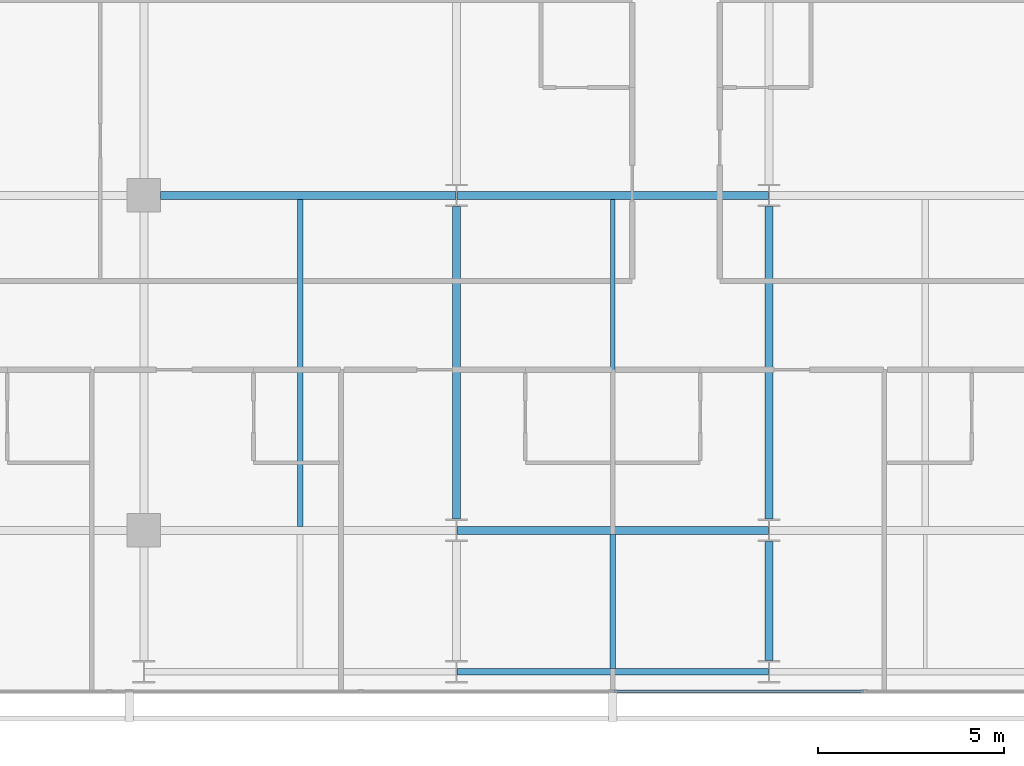
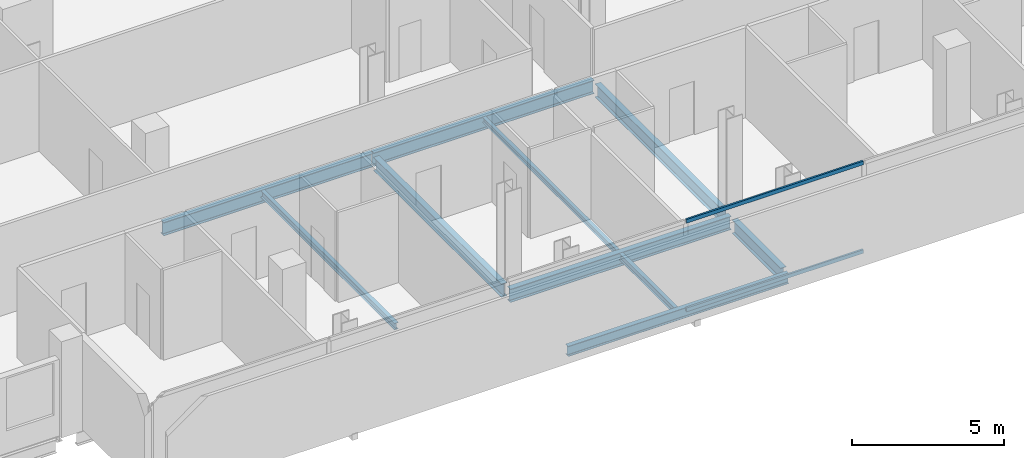
# One storey, part 7 of 33: 10 beams, 2 members, 1 element without a shape of its own.
"""IFC4 building model written with IfcOpenShell, lengths in metres."""

import ifcopenshell
import ifcopenshell.guid

model = None  # the IFC model being written
_history = None  # IfcOwnerHistory: only IFC2X3 demands one
_inside = {}  # id of a spatial element -> (the spatial element, [elements in it])
_under = {}  # id of a project, library or spatial element -> (it, [spatial elements below it])
_declared = {}  # id of a project -> (the project, [libraries it declares])
_typed = {}  # id of a type object -> (the type object, [elements of that type])
_made_of = {}  # id of a material, layer set ... -> (it, [elements and type objects made of it])


def new_model(schema):
    """Start an empty IFC model of exactly this schema.

    Asked for "IFC4X3", IfcOpenShell would pick the latest addendum, in which some entities
    have other attributes; the version numbers below select the first issue.
    IFC2X3 requires an IfcOwnerHistory on every rooted entity: one is made here for all.
    """
    global model, _history
    if schema == "IFC4X3":
        model = ifcopenshell.file(schema_version=(4, 3, 0, 0))
    else:
        model = ifcopenshell.file(schema=schema)
    _inside.clear()
    _under.clear()
    _declared.clear()
    _typed.clear()
    _made_of.clear()
    _history = None
    if model.schema == "IFC2X3":
        org = make("IfcOrganization", Name="unknown")
        user = make(
            "IfcPersonAndOrganization",
            ThePerson=make("IfcPerson", FamilyName="unknown"),
            TheOrganization=org,
        )
        app = make(
            "IfcApplication",
            ApplicationDeveloper=org,
            Version="unknown",
            ApplicationFullName="unknown",
            ApplicationIdentifier="unknown",
        )
        _history = make(
            "IfcOwnerHistory",
            OwningUser=user,
            OwningApplication=app,
            ChangeAction="ADDED",
            CreationDate=0,
        )
    return model


def make(cls, **values):
    """One entity of the class cls with the attributes given. An attribute that is None is left unset."""
    return model.create_entity(
        cls, **{name: value for name, value in values.items() if value is not None}
    )


def rooted(cls, **values):
    """An entity with a GlobalId (a new one), such as an element, a storey or a relation."""
    return make(cls, GlobalId=ifcopenshell.guid.new(), OwnerHistory=_history, **values)


def si_unit(unit_type, name, prefix=None):
    """IfcSIUnit, for example si_unit("LENGTHUNIT", "METRE", prefix="MILLI")."""
    return make("IfcSIUnit", UnitType=unit_type, Prefix=prefix, Name=name)


def assignment(units):
    """IfcUnitAssignment: the units of a project."""
    return None if units is None else make("IfcUnitAssignment", Units=units)


def point(xyz):
    """IfcCartesianPoint."""
    return None if xyz is None else make("IfcCartesianPoint", Coordinates=xyz)


def direction(xyz):
    """IfcDirection."""
    return None if xyz is None else make("IfcDirection", DirectionRatios=xyz)


def frame(location, z_axis=None, x_axis=None):
    """IfcAxis2Placement3D, a coordinate frame: its origin and axes. An axis left out is left unset."""
    return make(
        "IfcAxis2Placement3D",
        Location=point(location),
        Axis=direction(z_axis),
        RefDirection=direction(x_axis),
    )


def frame_2d(location, x_axis=None):
    """IfcAxis2Placement2D, a coordinate frame in the plane: its origin and x axis."""
    return make(
        "IfcAxis2Placement2D", Location=point(location), RefDirection=direction(x_axis)
    )


def origin():
    """The frame at (0, 0, 0) with its axes left unset."""
    return frame((0.0, 0.0, 0.0))


def origin_2d():
    """The frame at (0, 0) in the plane with its x axis left unset."""
    return frame_2d((0.0, 0.0))


def place(relative_to, where):
    """IfcLocalPlacement: puts the frame where relative to a parent placement (None: the world)."""
    return make(
        "IfcLocalPlacement", PlacementRelTo=relative_to, RelativePlacement=where
    )


def context(
    kind, dimensions, precision=None, world=None, true_north=None, identifier=None
):
    """IfcGeometricRepresentationContext, for example the 3D "Model" context."""
    return make(
        "IfcGeometricRepresentationContext",
        ContextIdentifier=identifier,
        ContextType=kind,
        CoordinateSpaceDimension=dimensions,
        Precision=precision,
        WorldCoordinateSystem=world,
        TrueNorth=true_north,
    )


def subcontext(parent, identifier, kind, view, scale=None):
    """IfcGeometricRepresentationSubContext, for example "Body" below "Model"."""
    return make(
        "IfcGeometricRepresentationSubContext",
        ContextIdentifier=identifier,
        ContextType=kind,
        ParentContext=parent,
        TargetScale=scale,
        TargetView=view,
    )


def project(units=None, contexts=None):
    """IfcProject with its units and contexts."""
    return rooted(
        "IfcProject",
        Name="project",
        RepresentationContexts=contexts,
        UnitsInContext=assignment(units),
    )


def spatial(cls, under=None, at=None, **own):
    """A site, building, storey or space (cls), placed at a placement, below another one or the project."""
    s = rooted(cls, ObjectPlacement=at, **own)
    if under is not None:
        _under.setdefault(under.id(), (under, []))[1].append(s)
    return s


def profile(cls, at=None, kind="AREA", **sizes):
    """A parametric profile (cls). Its sizes go by their IFC names, for example OverallWidth=200.0."""
    return make(cls, ProfileType=kind, Position=at, **sizes)


def hollow_rectangle(**sizes):
    """IfcRectangleHollowProfileDef."""
    return profile("IfcRectangleHollowProfileDef", **sizes)


def i_section(**sizes):
    """IfcIShapeProfileDef."""
    return profile("IfcIShapeProfileDef", **sizes)


def extrude(swept, where, along, depth):
    """IfcExtrudedAreaSolid: the profile swept, set in the frame where, extruded along a direction by depth."""
    return make(
        "IfcExtrudedAreaSolid",
        SweptArea=swept,
        Position=where,
        ExtrudedDirection=direction(along),
        Depth=depth,
    )


def shape(context_of_items, identifier, shape_type, items):
    """IfcShapeRepresentation: the items that make up one representation, for example the "Body"."""
    return make(
        "IfcShapeRepresentation",
        ContextOfItems=context_of_items,
        RepresentationIdentifier=identifier,
        RepresentationType=shape_type,
        Items=items,
    )


def material(Name=None, Category=None):
    """IfcMaterial."""
    return make("IfcMaterial", Name=Name, Category=Category)


def layer(
    of_material, thickness, ventilated=None, Name=None, Category=None, Priority=None
):
    """IfcMaterialLayer: one layer of a wall or slab, of a material (None: an air gap)."""
    return make(
        "IfcMaterialLayer",
        Material=of_material,
        LayerThickness=thickness,
        IsVentilated=ventilated,
        Name=Name,
        Category=Category,
        Priority=Priority,
    )


def layer_set(layers, Name=None):
    """IfcMaterialLayerSet."""
    return make("IfcMaterialLayerSet", MaterialLayers=layers, LayerSetName=Name)


def material_profile(
    of_material, cross_section, Name=None, Category=None, Priority=None
):
    """IfcMaterialProfile: a cross section and its material."""
    return make(
        "IfcMaterialProfile",
        Name=Name,
        Material=of_material,
        Profile=cross_section,
        Priority=Priority,
        Category=Category,
    )


def profile_set(profiles, Name=None, composite=None):
    """IfcMaterialProfileSet."""
    return make(
        "IfcMaterialProfileSet",
        Name=Name,
        MaterialProfiles=profiles,
        CompositeProfile=composite,
    )


def made_of(thing, what):
    """Note that an element or type object is made of a material, layer set ...; save() writes the relation."""
    if what is not None:
        _made_of.setdefault(what.id(), (what, []))[1].append(thing)
    return thing


def type_object(cls, material=None, **own):
    """A type object (cls), such as IfcWallType, which elements share."""
    return made_of(rooted(cls, **own), material)


def element(
    cls,
    number,
    at=None,
    inside=None,
    cuts=None,
    type_object=None,
    material=None,
    context=None,
    identifier="Body",
    shape_type=None,
    held_by="IfcProductDefinitionShape",
    body=None,
    shapes=None,
    **own,
):
    """One element of the class cls, such as IfcWall. Its Tag is "e" and its number.

    at: its placement. inside: the storey or other place that contains it. cuts: it is an
    opening in that element (IfcRelVoidsElement). A single representation is given by context,
    identifier, shape_type and body (its items); several are given by shapes. held_by: the class
    of the entity that holds the representations. save() writes the other relations.
    """
    e = rooted(cls, Tag="e%d" % number, ObjectPlacement=at, **own)
    if body is not None:
        shapes = [shape(context, identifier, shape_type, body)]
    if shapes is not None:
        e.Representation = make(held_by, Representations=shapes)
    if inside is not None:
        _inside.setdefault(inside.id(), (inside, []))[1].append(e)
    if cuts is not None:
        rooted(
            "IfcRelVoidsElement", RelatingBuildingElement=cuts, RelatedOpeningElement=e
        )
    if type_object is not None:
        _typed.setdefault(type_object.id(), (type_object, []))[1].append(e)
    return made_of(e, material)


def aggregate(whole, parts):
    """IfcRelAggregates: a whole, such as a stair, and the parts it consists of."""
    return rooted("IfcRelAggregates", RelatingObject=whole, RelatedObjects=parts)


def save(model, path):
    """Write the relations noted so far, then the file.

    IfcRelAggregates (storeys below a building ...), IfcRelContainedInSpatialStructure (elements
    in a storey), IfcRelDefinesByType, IfcRelAssociatesMaterial and IfcRelDeclares: one each for
    every whole, place, type object, material and project.
    """
    for whole, parts in _under.values():
        aggregate(whole, parts)
    for where, things in _inside.values():
        rooted(
            "IfcRelContainedInSpatialStructure",
            RelatedElements=things,
            RelatingStructure=where,
        )
    for kind, things in _typed.values():
        rooted("IfcRelDefinesByType", RelatedObjects=things, RelatingType=kind)
    for what, things in _made_of.values():
        rooted("IfcRelAssociatesMaterial", RelatedObjects=things, RelatingMaterial=what)
    for by, libraries in _declared.values():
        rooted("IfcRelDeclares", RelatingContext=by, RelatedDefinitions=libraries)
    model.write(path)


model = new_model("IFC4")

# Units and contexts
model_context = context("Model", 3, precision=1e-05, world=origin(), true_north=direction((0.0, 1.0)))
body_context = subcontext(model_context, "Body", "Model", "MODEL_VIEW")
ifc_project = project(units=[si_unit("LENGTHUNIT", "METRE"), si_unit("AREAUNIT", "SQUARE_METRE"), si_unit("VOLUMEUNIT", "CUBIC_METRE"), si_unit("PLANEANGLEUNIT", "RADIAN"), si_unit("MASSUNIT", "GRAM", prefix="KILO")], contexts=[model_context])

# Site, building, storey
site_placement = place(None, origin())
site = spatial("IfcSite", under=ifc_project, at=site_placement, CompositionType="ELEMENT")
building_placement = place(site_placement, origin())
building = spatial("IfcBuilding", under=site, at=building_placement, Name="Maruvema Waterfront Hotel and Observation Tower", CompositionType="ELEMENT")
storey_placement = place(building_placement, frame((0.0, 0.0, 204.39990234375)))
storey = spatial("IfcBuildingStorey", under=building, at=storey_placement, Name="L50", CompositionType="ELEMENT", Elevation=204.39990234375)

# Curtain wall, members
ifc_material_1 = material(Name="Anodised bronze aluminium and solar-control low-E IGU", Category="aluminium")
ifc_layer = layer(ifc_material_1, 0.159912109375, Name="Zone 2 Amber Inner Thermal Curtain Wall System CW-03")
ifc_layer_set = layer_set([ifc_layer], Name="Anodised bronze aluminium and solar-control low-E IGU")
curtain_wall_type = type_object("IfcCurtainWallType", Name="Zone 2 Amber Inner Thermal Curtain Wall System CW-03", PredefinedType="USERDEFINED", material=ifc_layer_set)
curtain_wall_placement = place(storey_placement, origin())
curtain_wall = element("IfcCurtainWall", 1, at=curtain_wall_placement, inside=storey, type_object=curtain_wall_type, Name="L50 Curtain Wall CW-L50-S", ObjectType="UNITISED CURTAIN WALL", PredefinedType="USERDEFINED")
ifc_material_2 = material(Name="Anodised architectural bronze aluminium", Category="aluminium")
ifc_material_profile_1 = material_profile(ifc_material_2, hollow_rectangle(XDim=0.070068359375, YDim=0.14990234375, WallThickness=0.00390625, at=origin_2d()), Name="ALU-T70x150")
ifc_profile_set_1 = profile_set([ifc_material_profile_1], Name="Anodised architectural bronze aluminium")
member_type = type_object("IfcMemberType", Name="Curtain Wall Horizontal Transom ALU-T70x150", PredefinedType="USERDEFINED", material=ifc_profile_set_1)
member_1_placement = place(storey_placement, frame((37.830078125, 4.679931640625, 0.030029296875), z_axis=(1.0, 0.0, 0.0), x_axis=(0.0, 1.0, 0.0)))
member_1 = element("IfcMember", 2, at=member_1_placement, type_object=member_type, Name="CW-03 transom 4.1", ObjectType="TRANSOM", PredefinedType="USERDEFINED", context=body_context, shape_type="SweptSolid", body=[
    extrude(hollow_rectangle(XDim=0.070068359375, YDim=0.14990234375, WallThickness=0.00390625, at=origin_2d()), origin(), (0.0, 0.0, 1.0), 6.70654296875),
])
member_2_placement = place(storey_placement, frame((37.830078125, 4.679931640625, 3.580078125), z_axis=(1.0, 0.0, 0.0), x_axis=(0.0, 1.0, 0.0)))
member_2 = element("IfcMember", 3, at=member_2_placement, type_object=member_type, Name="CW-03 transom 4.2", ObjectType="TRANSOM", PredefinedType="USERDEFINED", context=body_context, shape_type="SweptSolid", body=[
    extrude(hollow_rectangle(XDim=0.070068359375, YDim=0.14990234375, WallThickness=0.00390625, at=origin_2d()), origin(), (0.0, 0.0, 1.0), 6.70654296875),
])
aggregate(curtain_wall, [member_1, member_2])

# Beams
ifc_material_3 = material(Name="Steel ASTM A572 Grade 50", Category="steel")
ifc_material_profile_2 = material_profile(ifc_material_3, i_section(OverallWidth=0.178955078125, OverallDepth=0.409912109375, WebThickness=0.0087890625, FlangeThickness=0.014404296875, FilletRadius=0.014892578125, at=origin_2d()), Name="W410x67.0")
ifc_profile_set_2 = profile_set([ifc_material_profile_2], Name="Steel ASTM A572 Grade 50")
beam_type_1 = type_object("IfcBeamType", Name="Perimeter Spandrel Beam W410x67.0", PredefinedType="SPANDREL", material=ifc_profile_set_2)
beam_1_placement = place(storey_placement, frame((33.612548828125, 5.199951171875, -0.44482421875), z_axis=(1.0, 0.0, 0.0), x_axis=(0.0, 1.0, 0.0)))
element("IfcBeam", 4, at=beam_1_placement, inside=storey, type_object=beam_type_1, Name="L50 Floor Girder EW-02", PredefinedType="SPANDREL", context=body_context, shape_type="SweptSolid", body=[
    extrude(i_section(OverallWidth=0.178955078125, OverallDepth=0.409912109375, WebThickness=0.0087890625, FlangeThickness=0.014404296875, FilletRadius=0.014892578125, at=origin_2d()), origin(), (0.0, 0.0, 1.0), 8.375),
])
ifc_material_4 = material(Name="Steel ASTM A572 Grade 50", Category="steel")
ifc_material_profile_3 = material_profile(ifc_material_4, i_section(OverallWidth=0.2109375, OverallDepth=0.5390625, WebThickness=0.01171875, FlangeThickness=0.018798828125, FilletRadius=0.014892578125, at=origin_2d()), Name="W530x109.0")
ifc_profile_set_3 = profile_set([ifc_material_profile_3], Name="Steel ASTM A572 Grade 50")
beam_type_2 = type_object("IfcBeamType", Name="Primary Floor Girder W530x109.0", PredefinedType="BEAM", material=ifc_profile_set_3)
beam_2_placement = place(storey_placement, frame((33.612548828125, 9.0, -0.509521484375), z_axis=(1.0, 0.0, 0.0), x_axis=(0.0, 1.0, 0.0)))
element("IfcBeam", 5, at=beam_2_placement, inside=storey, type_object=beam_type_2, Name="L50 Floor Girder EW-07", PredefinedType="BEAM", context=body_context, shape_type="SweptSolid", body=[
    extrude(i_section(OverallWidth=0.2109375, OverallDepth=0.5390625, WebThickness=0.01171875, FlangeThickness=0.018798828125, FilletRadius=0.014892578125, at=origin_2d()), origin(), (0.0, 0.0, 1.0), 8.375),
])
beam_3_placement = place(storey_placement, frame((25.64990234375, 18.0, -0.509521484375), z_axis=(1.0, 0.0, 0.0), x_axis=(0.0, 1.0, 0.0)))
element("IfcBeam", 6, at=beam_3_placement, inside=storey, type_object=beam_type_2, Name="L50 Floor Girder EW-13", PredefinedType="BEAM", context=body_context, shape_type="SweptSolid", body=[
    extrude(i_section(OverallWidth=0.2109375, OverallDepth=0.5390625, WebThickness=0.01171875, FlangeThickness=0.018798828125, FilletRadius=0.014892578125, at=origin_2d()), origin(), (0.0, 0.0, 1.0), 7.9375),
])
beam_4_placement = place(storey_placement, frame((33.612548828125, 18.0, -0.509521484375), z_axis=(1.0, 0.0, 0.0), x_axis=(0.0, 1.0, 0.0)))
element("IfcBeam", 7, at=beam_4_placement, inside=storey, type_object=beam_type_2, Name="L50 Floor Girder EW-14", PredefinedType="BEAM", context=body_context, shape_type="SweptSolid", body=[
    extrude(i_section(OverallWidth=0.2109375, OverallDepth=0.5390625, WebThickness=0.01171875, FlangeThickness=0.018798828125, FilletRadius=0.014892578125, at=origin_2d()), origin(), (0.0, 0.0, 1.0), 8.375),
])
beam_5_placement = place(storey_placement, frame((33.60009765625, 9.300048828125, -0.509521484375), z_axis=(0.0, 1.0, 0.0), x_axis=(-1.0, 0.0, 0.0)))
element("IfcBeam", 8, at=beam_5_placement, inside=storey, type_object=beam_type_2, Name="L50 Floor Girder NS-15", PredefinedType="BEAM", context=body_context, shape_type="SweptSolid", body=[
    extrude(i_section(OverallWidth=0.2109375, OverallDepth=0.5390625, WebThickness=0.01171875, FlangeThickness=0.018798828125, FilletRadius=0.014892578125, at=origin_2d()), origin(), (0.0, 0.0, 1.0), 8.39990234375),
])
beam_6_placement = place(storey_placement, frame((42.0, 5.5, -0.509521484375), z_axis=(0.0, 1.0, 0.0), x_axis=(-1.0, 0.0, 0.0)))
element("IfcBeam", 9, at=beam_6_placement, inside=storey, type_object=beam_type_2, Name="L50 Floor Girder NS-17", PredefinedType="BEAM", context=body_context, shape_type="SweptSolid", body=[
    extrude(i_section(OverallWidth=0.2109375, OverallDepth=0.5390625, WebThickness=0.01171875, FlangeThickness=0.018798828125, FilletRadius=0.014892578125, at=origin_2d()), origin(), (0.0, 0.0, 1.0), 3.199951171875),
])
beam_7_placement = place(storey_placement, frame((42.0, 9.300048828125, -0.509521484375), z_axis=(0.0, 1.0, 0.0), x_axis=(-1.0, 0.0, 0.0)))
element("IfcBeam", 10, at=beam_7_placement, inside=storey, type_object=beam_type_2, Name="L50 Floor Girder NS-18", PredefinedType="BEAM", context=body_context, shape_type="SweptSolid", body=[
    extrude(i_section(OverallWidth=0.2109375, OverallDepth=0.5390625, WebThickness=0.01171875, FlangeThickness=0.018798828125, FilletRadius=0.014892578125, at=origin_2d()), origin(), (0.0, 0.0, 1.0), 8.39990234375),
])
ifc_material_5 = material(Name="Steel ASTM A572 Grade 50", Category="steel")
ifc_material_profile_4 = material_profile(ifc_material_5, i_section(OverallWidth=0.133056640625, OverallDepth=0.20703125, WebThickness=0.005859375, FlangeThickness=0.00830078125, FilletRadius=0.010009765625, at=origin_2d()), Name="W200x26.6")
ifc_profile_set_4 = profile_set([ifc_material_profile_4], Name="Steel ASTM A572 Grade 50")
beam_type_3 = type_object("IfcBeamType", Name="Secondary Floor Joist W200x26.6", PredefinedType="JOIST", material=ifc_profile_set_4)
beam_8_placement = place(storey_placement, frame((37.800048828125, 9.10546875, -0.343505859375), z_axis=(0.0, 1.0, 0.0), x_axis=(-1.0, 0.0, 0.0)))
element("IfcBeam", 11, at=beam_8_placement, inside=storey, type_object=beam_type_3, Name="L50 Secondary Floor Joist JS-08", PredefinedType="JOIST", context=body_context, shape_type="SweptSolid", body=[
    extrude(i_section(OverallWidth=0.133056640625, OverallDepth=0.20703125, WebThickness=0.005859375, FlangeThickness=0.00830078125, FilletRadius=0.010009765625, at=origin_2d()), origin(), (0.0, 0.0, 1.0), 8.7890625),
])
ifc_material_6 = material(Name="Steel ASTM A572 Grade 50", Category="steel")
ifc_material_profile_5 = material_profile(ifc_material_6, i_section(OverallWidth=0.14599609375, OverallDepth=0.258056640625, WebThickness=0.006103515625, FlangeThickness=0.009033203125, FilletRadius=0.012939453125, at=origin_2d()), Name="W250x32.7")
ifc_profile_set_5 = profile_set([ifc_material_profile_5], Name="Steel ASTM A572 Grade 50")
beam_type_4 = type_object("IfcBeamType", Name="Secondary Floor Joist W250x32.7", PredefinedType="JOIST", material=ifc_profile_set_5)
beam_9_placement = place(storey_placement, frame((37.800048828125, 5.28955078125, -0.368896484375), z_axis=(0.0, 1.0, 0.0), x_axis=(-1.0, 0.0, 0.0)))
element("IfcBeam", 12, at=beam_9_placement, inside=storey, type_object=beam_type_4, Name="L50 Secondary Floor Joist JS-07", PredefinedType="JOIST", context=body_context, shape_type="SweptSolid", body=[
    extrude(i_section(OverallWidth=0.14599609375, OverallDepth=0.258056640625, WebThickness=0.006103515625, FlangeThickness=0.009033203125, FilletRadius=0.012939453125, at=origin_2d()), origin(), (0.0, 0.0, 1.0), 3.60498046875),
])
ifc_material_7 = material(Name="Steel ASTM A572 Grade 50", Category="steel")
ifc_material_profile_6 = material_profile(ifc_material_7, i_section(OverallWidth=0.14794921875, OverallDepth=0.26611328125, WebThickness=0.007568359375, FlangeThickness=0.012939453125, FilletRadius=0.012939453125, at=origin_2d()), Name="W250x44.8")
ifc_profile_set_6 = profile_set([ifc_material_profile_6], Name="Steel ASTM A572 Grade 50")
beam_type_5 = type_object("IfcBeamType", Name="Secondary Floor Joist W250x44.8", PredefinedType="JOIST", material=ifc_profile_set_6)
beam_10_placement = place(storey_placement, frame((29.39990234375, 9.10546875, -0.372802734375), z_axis=(0.0, 1.0, 0.0), x_axis=(-1.0, 0.0, 0.0)))
element("IfcBeam", 13, at=beam_10_placement, inside=storey, type_object=beam_type_5, Name="L50 Secondary Floor Joist JS-06", PredefinedType="JOIST", context=body_context, shape_type="SweptSolid", body=[
    extrude(i_section(OverallWidth=0.14794921875, OverallDepth=0.26611328125, WebThickness=0.007568359375, FlangeThickness=0.012939453125, FilletRadius=0.012939453125, at=origin_2d()), origin(), (0.0, 0.0, 1.0), 8.7890625),
])

save(model, "model.ifc")
